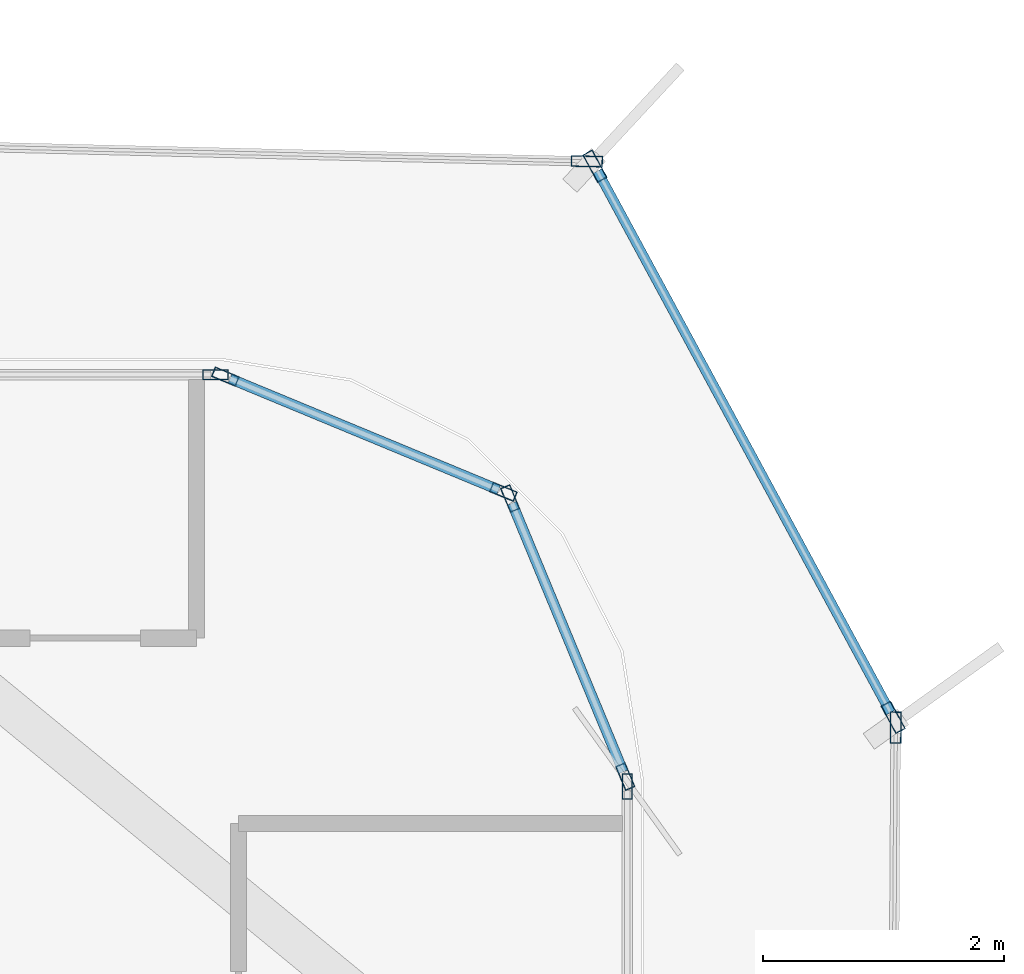
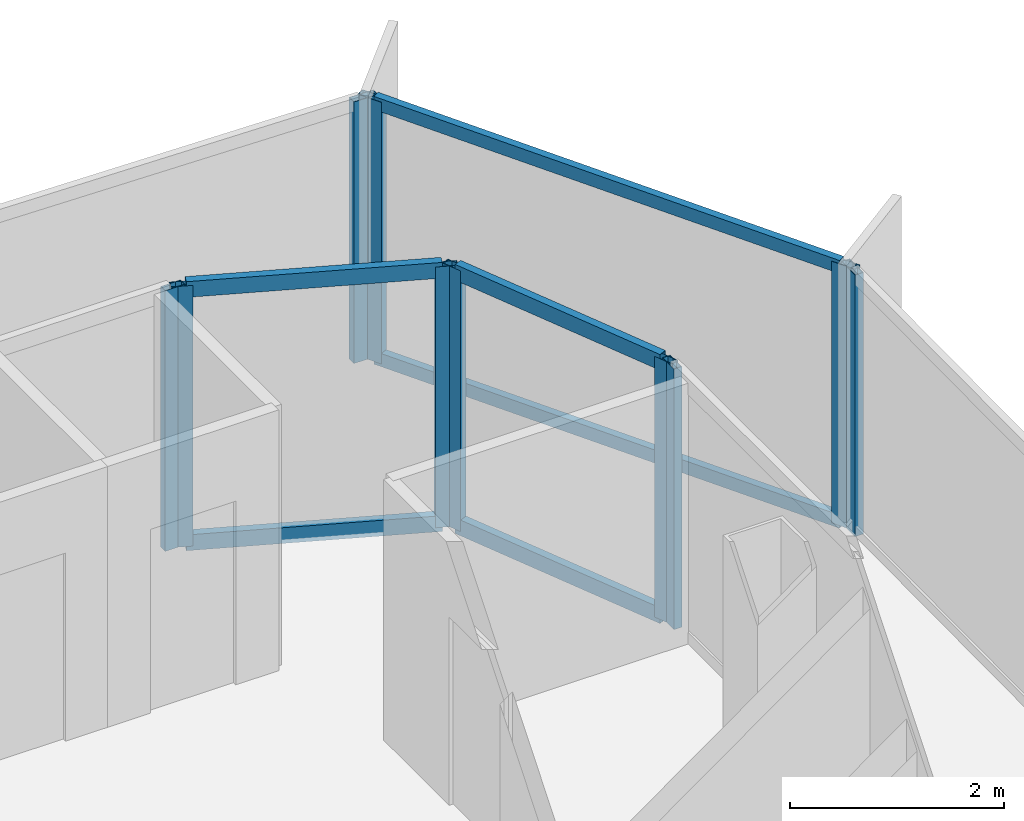
# One storey, part 8 of 15: 16 members, 7 elements without a shape of their own.
"""IFC4 building model written with IfcOpenShell, lengths in metres."""

from ifc_helpers import new_model, si_unit, direction, frame, origin, origin_2d, place, context, subcontext, project, spatial, hollow_rectangle, extrude, source, transform, mapped, material, layer, layer_set, material_profile, profile_set, type_object, element, aggregate, save


model = new_model("IFC4")

# Units and contexts
model_context = context("Model", 3, precision=1e-05, world=origin(), true_north=direction((0.0, 1.0)))
body_context = subcontext(model_context, "Body", "Model", "MODEL_VIEW")
ifc_project = project(units=[si_unit("LENGTHUNIT", "METRE"), si_unit("AREAUNIT", "SQUARE_METRE"), si_unit("VOLUMEUNIT", "CUBIC_METRE"), si_unit("PLANEANGLEUNIT", "RADIAN"), si_unit("MASSUNIT", "GRAM", prefix="KILO")], contexts=[model_context])

# Site, building, storey
site_placement = place(None, origin())
site = spatial("IfcSite", under=ifc_project, at=site_placement, CompositionType="ELEMENT")
building_placement = place(site_placement, origin())
building = spatial("IfcBuilding", under=site, at=building_placement, Name="Kolveth Station Tower", CompositionType="ELEMENT")
storey_placement = place(building_placement, frame((0.0, 0.0, 248.89990234375)))
storey = spatial("IfcBuildingStorey", under=building, at=storey_placement, Name="L71", CompositionType="ELEMENT", Elevation=248.89990234375)

# Curtain wall, member
ifc_material_1 = material(Name="Black anodized aluminium 6063-T6 and dark solar glass", Category="aluminium")
ifc_layer_1 = layer(ifc_material_1, 0.159912109375)
ifc_layer_set_1 = layer_set([ifc_layer_1], Name="Black anodized aluminium 6063-T6 and dark solar glass")
curtain_wall_type_1 = type_object("IfcCurtainWallType", Name="OUTER SKIN CW-OS", PredefinedType="NOTDEFINED", material=ifc_layer_set_1)
curtain_wall_1_placement = place(storey_placement, origin())
curtain_wall_1 = element("IfcCurtainWall", 1, at=curtain_wall_1_placement, inside=storey, type_object=curtain_wall_type_1, Name="L71 Outer Ventilated Skin Curtain Wall 2", PredefinedType="NOTDEFINED")
ifc_material_2 = material(Name="Black anodized aluminium 6063-T6", Category="aluminium")
ifc_material_profile_1 = material_profile(ifc_material_2, hollow_rectangle(XDim=0.090087890625, YDim=0.260009765625, WallThickness=0.0048828125, at=origin_2d()), Name="ALU-90x260x5")
ifc_profile_set_1 = profile_set([ifc_material_profile_1], Name="Black anodized aluminium 6063-T6")
member_type_1 = type_object("IfcMemberType", Name="FIN MULLION ML-OS", PredefinedType="MULLION", material=ifc_profile_set_1)
shared_shape_1 = source(origin(), body_context, "Body", "SweptSolid", [
    extrude(hollow_rectangle(XDim=0.090087890625, YDim=0.260009765625, WallThickness=0.0048828125, at=origin_2d()), origin(), (0.0, 0.0, 1.0), 2.989990234375),
])
member_1_placement = place(storey_placement, frame((43.911376953125, 32.2470703125, 0.0), z_axis=(0.0, 0.0, 1.0), x_axis=(-0.999978311939, 0.00658601934, 0.0)))
member_1 = element("IfcMember", 2, at=member_1_placement, type_object=member_type_1, Name="CW-OS mullion 2", PredefinedType="MULLION", context=body_context, shape_type="MappedRepresentation", body=[
    mapped(shared_shape_1, transform((0.0, 0.0, 0.0), x_axis=(1.0, 0.0, 0.0), y_axis=(0.0, 1.0, 0.0), z_axis=(0.0, 0.0, 1.0), scale=1.0)),
])
aggregate(curtain_wall_1, [member_1])

# Curtain wall, members
curtain_wall_2_placement = place(storey_placement, origin())
curtain_wall_2 = element("IfcCurtainWall", 3, at=curtain_wall_2_placement, inside=storey, type_object=curtain_wall_type_1, Name="L71 Outer Ventilated Skin Curtain Wall 3", PredefinedType="NOTDEFINED")
member_2_placement = place(storey_placement, frame((43.89013671875, 32.331787109375, 0.0), z_axis=(0.0, 0.0, 1.0), x_axis=(-0.879470405648, -0.475953575036, 0.0)))
member_2 = element("IfcMember", 4, at=member_2_placement, type_object=member_type_1, Name="CW-OS mullion 1", PredefinedType="MULLION", context=body_context, shape_type="MappedRepresentation", body=[
    mapped(shared_shape_1, transform((0.0, 0.0, 0.0), x_axis=(1.0, 0.0, 0.0), y_axis=(0.0, 1.0, 0.0), z_axis=(0.0, 0.0, 1.0), scale=1.0)),
])
member_3_placement = place(storey_placement, frame((41.4111328125, 36.912353515625, 0.0), z_axis=(0.0, 0.0, 1.0), x_axis=(-0.879470405648, -0.475953575036, 0.0)))
member_3 = element("IfcMember", 5, at=member_3_placement, type_object=member_type_1, Name="CW-OS mullion 2", PredefinedType="MULLION", context=body_context, shape_type="MappedRepresentation", body=[
    mapped(shared_shape_1, transform((0.0, 0.0, 0.0), x_axis=(1.0, 0.0, 0.0), y_axis=(0.0, 1.0, 0.0), z_axis=(0.0, 0.0, 1.0), scale=1.0)),
])

# Curtain wall, member
curtain_wall_3_placement = place(storey_placement, origin())
curtain_wall_3 = element("IfcCurtainWall", 6, at=curtain_wall_3_placement, inside=storey, type_object=curtain_wall_type_1, Name="L71 Outer Ventilated Skin Curtain Wall 4", PredefinedType="NOTDEFINED")
member_4_placement = place(storey_placement, frame((41.3447265625, 36.952880859375, 0.0), z_axis=(0.0, 0.0, 1.0), x_axis=(-0.023863686618, -0.999715221681, 0.0)))
member_4 = element("IfcMember", 7, at=member_4_placement, type_object=member_type_1, Name="CW-OS mullion 1", PredefinedType="MULLION", context=body_context, shape_type="MappedRepresentation", body=[
    mapped(shared_shape_1, transform((0.0, 0.0, 0.0), x_axis=(1.0, 0.0, 0.0), y_axis=(0.0, 1.0, 0.0), z_axis=(0.0, 0.0, 1.0), scale=1.0)),
])
aggregate(curtain_wall_3, [member_4])

ifc_material_3 = material(Name="Aluminium 6063-T6 and triple low-E dark glass", Category="aluminium")
ifc_layer_2 = layer(ifc_material_3, 0.199951171875)
ifc_layer_set_2 = layer_set([ifc_layer_2], Name="Aluminium 6063-T6 and triple low-E dark glass")
curtain_wall_type_2 = type_object("IfcCurtainWallType", Name="CurtainWall_CW-Z3", PredefinedType="NOTDEFINED", material=ifc_layer_set_2)
curtain_wall_4_placement = place(storey_placement, origin())
curtain_wall_4 = element("IfcCurtainWall", 8, at=curtain_wall_4_placement, inside=storey, type_object=curtain_wall_type_2, Name="L71 Inner Thermal Curtain Wall 3", PredefinedType="NOTDEFINED")
ifc_material_profile_2 = material_profile(ifc_material_2, hollow_rectangle(XDim=0.0849609375, YDim=0.215087890625, WallThickness=0.0048828125, at=origin_2d()), Name="ALU-85x215x5")
ifc_profile_set_2 = profile_set([ifc_material_profile_2], Name="Black anodized aluminium 6063-T6")
member_type_2 = type_object("IfcMemberType", Name="Mullion_ML3", PredefinedType="MULLION", material=ifc_profile_set_2)
shared_shape_2 = source(origin(), body_context, "Body", "SweptSolid", [
    extrude(hollow_rectangle(XDim=0.0849609375, YDim=0.215087890625, WallThickness=0.0048828125, at=origin_2d()), origin(), (0.0, 0.0, 1.0), 2.97998046875),
])
member_5_placement = place(storey_placement, frame((41.679931640625, 31.757568359375, 0.0), z_axis=(0.0, 0.0, 1.0), x_axis=(-1.0, 0.0, 0.0)))
member_5 = element("IfcMember", 9, at=member_5_placement, type_object=member_type_2, Name="CW-Z3 mullion 2", PredefinedType="MULLION", context=body_context, shape_type="MappedRepresentation", body=[
    mapped(shared_shape_2, transform((0.0, 0.0, 0.0), x_axis=(1.0, 0.0, 0.0), y_axis=(0.0, 1.0, 0.0), z_axis=(0.0, 0.0, 1.0), scale=1.0)),
])
aggregate(curtain_wall_4, [member_5])

# Curtain wall, members
curtain_wall_5_placement = place(storey_placement, origin())
curtain_wall_5 = element("IfcCurtainWall", 10, at=curtain_wall_5_placement, inside=storey, type_object=curtain_wall_type_2, Name="L71 Inner Thermal Curtain Wall 4", PredefinedType="NOTDEFINED")
member_6_placement = place(storey_placement, frame((41.663818359375, 31.83935546875, 0.0), z_axis=(0.0, 0.0, 1.0), x_axis=(-0.923875488975, -0.382693194181, 0.0)))
member_6 = element("IfcMember", 11, at=member_6_placement, type_object=member_type_2, Name="CW-Z3 mullion 1", PredefinedType="MULLION", context=body_context, shape_type="MappedRepresentation", body=[
    mapped(shared_shape_2, transform((0.0, 0.0, 0.0), x_axis=(1.0, 0.0, 0.0), y_axis=(0.0, 1.0, 0.0), z_axis=(0.0, 0.0, 1.0), scale=1.0)),
])
member_7_placement = place(storey_placement, frame((40.706298828125, 34.150634765625, 0.0), z_axis=(0.0, 0.0, 1.0), x_axis=(-0.923875488975, -0.382693194181, 0.0)))
member_7 = element("IfcMember", 12, at=member_7_placement, type_object=member_type_2, Name="CW-Z3 mullion 2", PredefinedType="MULLION", context=body_context, shape_type="MappedRepresentation", body=[
    mapped(shared_shape_2, transform((0.0, 0.0, 0.0), x_axis=(1.0, 0.0, 0.0), y_axis=(0.0, 1.0, 0.0), z_axis=(0.0, 0.0, 1.0), scale=1.0)),
])

curtain_wall_6_placement = place(storey_placement, origin())
curtain_wall_6 = element("IfcCurtainWall", 13, at=curtain_wall_6_placement, inside=storey, type_object=curtain_wall_type_2, Name="L71 Inner Thermal Curtain Wall 5", PredefinedType="NOTDEFINED")
member_8_placement = place(storey_placement, frame((40.650634765625, 34.206298828125, 0.0), z_axis=(0.0, 0.0, 1.0), x_axis=(-0.382693194181, -0.923875488975, 0.0)))
member_8 = element("IfcMember", 14, at=member_8_placement, type_object=member_type_2, Name="CW-Z3 mullion 1", PredefinedType="MULLION", context=body_context, shape_type="MappedRepresentation", body=[
    mapped(shared_shape_2, transform((0.0, 0.0, 0.0), x_axis=(1.0, 0.0, 0.0), y_axis=(0.0, 1.0, 0.0), z_axis=(0.0, 0.0, 1.0), scale=1.0)),
])
member_9_placement = place(storey_placement, frame((38.33935546875, 35.163818359375, 0.0), z_axis=(0.0, 0.0, 1.0), x_axis=(-0.382693194181, -0.923875488975, 0.0)))
member_9 = element("IfcMember", 15, at=member_9_placement, type_object=member_type_2, Name="CW-Z3 mullion 2", PredefinedType="MULLION", context=body_context, shape_type="MappedRepresentation", body=[
    mapped(shared_shape_2, transform((0.0, 0.0, 0.0), x_axis=(1.0, 0.0, 0.0), y_axis=(0.0, 1.0, 0.0), z_axis=(0.0, 0.0, 1.0), scale=1.0)),
])

# Curtain wall, member
curtain_wall_7_placement = place(storey_placement, origin())
curtain_wall_7 = element("IfcCurtainWall", 16, at=curtain_wall_7_placement, inside=storey, type_object=curtain_wall_type_2, Name="L71 Inner Thermal Curtain Wall 6", PredefinedType="NOTDEFINED")
member_10_placement = place(storey_placement, frame((38.257568359375, 35.179931640625, 0.0), z_axis=(0.0, 0.0, 1.0), x_axis=(0.0, -1.0, 0.0)))
member_10 = element("IfcMember", 17, at=member_10_placement, type_object=member_type_2, Name="CW-Z3 mullion 1", PredefinedType="MULLION", context=body_context, shape_type="MappedRepresentation", body=[
    mapped(shared_shape_2, transform((0.0, 0.0, 0.0), x_axis=(1.0, 0.0, 0.0), y_axis=(0.0, 1.0, 0.0), z_axis=(0.0, 0.0, 1.0), scale=1.0)),
])
aggregate(curtain_wall_7, [member_10])

# Member
ifc_material_profile_3 = material_profile(ifc_material_2, hollow_rectangle(XDim=0.0849609375, YDim=0.179931640625, WallThickness=0.0048828125, at=origin_2d()), Name="ALU-85x180x5")
ifc_profile_set_3 = profile_set([ifc_material_profile_3], Name="Black anodized aluminium 6063-T6")
member_type_3 = type_object("IfcMemberType", Name="Transom_TR3", PredefinedType="USERDEFINED", material=ifc_profile_set_3)
shared_shape_3 = source(origin(), body_context, "Body", "SweptSolid", [
    extrude(hollow_rectangle(XDim=0.0849609375, YDim=0.179931640625, WallThickness=0.0048828125, at=origin_2d()), origin(), (0.0, 0.0, 1.0), 2.417236328125),
])
member_11_placement = place(storey_placement, frame((41.6474609375, 31.87841796875, 0.04248046875), z_axis=(-0.382699687013, 0.923872799448, 0.0), x_axis=(-0.923872799448, -0.382699687013, 0.0)))
member_11 = element("IfcMember", 18, at=member_11_placement, type_object=member_type_3, Name="CW-Z3 transom 1.1", ObjectType="TRANSOM", PredefinedType="USERDEFINED", context=body_context, shape_type="MappedRepresentation", body=[
    mapped(shared_shape_3, transform((0.0, 0.0, 0.0), x_axis=(1.0, 0.0, 0.0), y_axis=(0.0, 1.0, 0.0), z_axis=(0.0, 0.0, 1.0), scale=1.0)),
])

member_12_placement = place(storey_placement, frame((41.6474609375, 31.87841796875, 2.9375), z_axis=(-0.382699687013, 0.923872799448, 0.0), x_axis=(-0.923872799448, -0.382699687013, 0.0)))
member_12 = element("IfcMember", 19, at=member_12_placement, type_object=member_type_3, Name="CW-Z3 transom 1.2", ObjectType="TRANSOM", PredefinedType="USERDEFINED", context=body_context, shape_type="MappedRepresentation", body=[
    mapped(shared_shape_3, transform((0.0, 0.0, 0.0), x_axis=(1.0, 0.0, 0.0), y_axis=(0.0, 1.0, 0.0), z_axis=(0.0, 0.0, 1.0), scale=1.0)),
])

aggregate(curtain_wall_5, [member_6, member_7, member_11, member_12])

member_13_placement = place(storey_placement, frame((40.611572265625, 34.222412109375, 0.04248046875), z_axis=(-0.923872799448, 0.382699687013, 0.0), x_axis=(-0.382699687013, -0.923872799448, 0.0)))
member_13 = element("IfcMember", 20, at=member_13_placement, type_object=member_type_3, Name="CW-Z3 transom 1.1", ObjectType="TRANSOM", PredefinedType="USERDEFINED", context=body_context, shape_type="MappedRepresentation", body=[
    mapped(shared_shape_3, transform((0.0, 0.0, 0.0), x_axis=(1.0, 0.0, 0.0), y_axis=(0.0, 1.0, 0.0), z_axis=(0.0, 0.0, 1.0), scale=1.0)),
])

member_14_placement = place(storey_placement, frame((40.611572265625, 34.222412109375, 2.9375), z_axis=(-0.923872799448, 0.382699687013, 0.0), x_axis=(-0.382699687013, -0.923872799448, 0.0)))
member_14 = element("IfcMember", 21, at=member_14_placement, type_object=member_type_3, Name="CW-Z3 transom 1.2", ObjectType="TRANSOM", PredefinedType="USERDEFINED", context=body_context, shape_type="MappedRepresentation", body=[
    mapped(shared_shape_3, transform((0.0, 0.0, 0.0), x_axis=(1.0, 0.0, 0.0), y_axis=(0.0, 1.0, 0.0), z_axis=(0.0, 0.0, 1.0), scale=1.0)),
])

aggregate(curtain_wall_6, [member_8, member_9, member_13, member_14])

ifc_material_profile_4 = material_profile(ifc_material_2, hollow_rectangle(XDim=0.080078125, YDim=0.14990234375, WallThickness=0.0048828125, at=origin_2d()), Name="ALU-80x150x5")
ifc_profile_set_4 = profile_set([ifc_material_profile_4], Name="Black anodized aluminium 6063-T6")
member_type_4 = type_object("IfcMemberType", Name="Transom_TR-OS", PredefinedType="USERDEFINED", material=ifc_profile_set_4)
shared_shape_4 = source(origin(), body_context, "Body", "SweptSolid", [
    extrude(hollow_rectangle(XDim=0.080078125, YDim=0.14990234375, WallThickness=0.0048828125, at=origin_2d()), origin(), (0.0, 0.0, 1.0), 5.118408203125),
])
member_15_placement = place(storey_placement, frame((43.86865234375, 32.371337890625, 0.0400390625), z_axis=(-0.47594198384, 0.879476678496, 0.0), x_axis=(-0.879476678496, -0.47594198384, 0.0)))
member_15 = element("IfcMember", 22, at=member_15_placement, type_object=member_type_4, Name="CW-OS transom 1.1", ObjectType="TRANSOM", PredefinedType="USERDEFINED", context=body_context, shape_type="MappedRepresentation", body=[
    mapped(shared_shape_4, transform((0.0, 0.0, 0.0), x_axis=(1.0, 0.0, 0.0), y_axis=(0.0, 1.0, 0.0), z_axis=(0.0, 0.0, 1.0), scale=1.0)),
])

member_16_placement = place(storey_placement, frame((43.86865234375, 32.371337890625, 2.9501953125), z_axis=(-0.47594198384, 0.879476678496, 0.0), x_axis=(-0.879476678496, -0.47594198384, 0.0)))
member_16 = element("IfcMember", 23, at=member_16_placement, type_object=member_type_4, Name="CW-OS transom 1.2", ObjectType="TRANSOM", PredefinedType="USERDEFINED", context=body_context, shape_type="MappedRepresentation", body=[
    mapped(shared_shape_4, transform((0.0, 0.0, 0.0), x_axis=(1.0, 0.0, 0.0), y_axis=(0.0, 1.0, 0.0), z_axis=(0.0, 0.0, 1.0), scale=1.0)),
])

aggregate(curtain_wall_2, [member_2, member_3, member_15, member_16])

save(model, "model.ifc")
